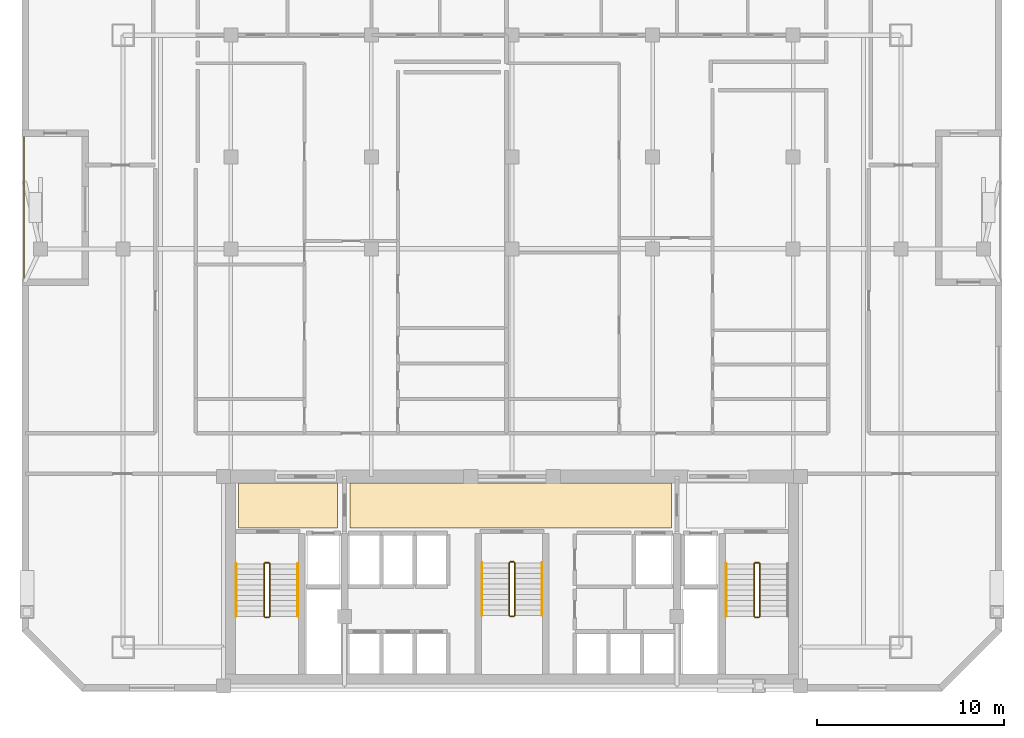
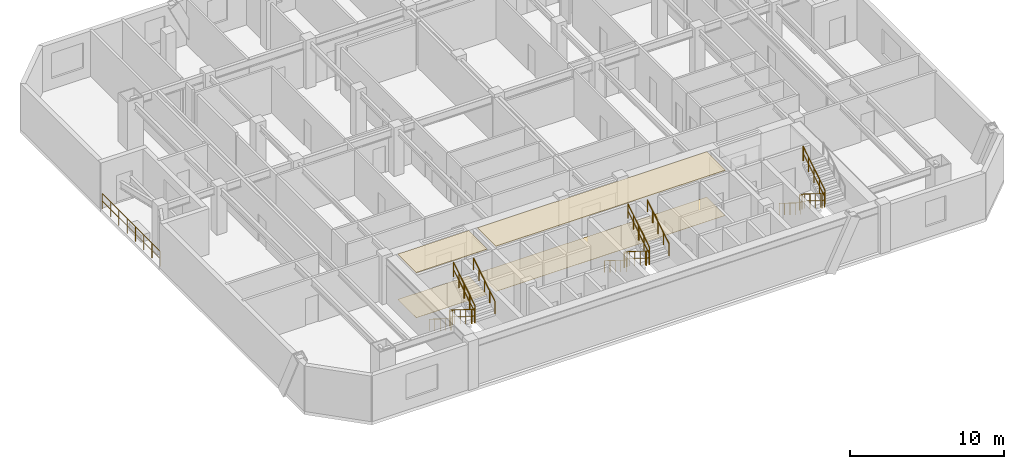
# One storey, part 8 of 9: 18 railings, 4 coverings.
"""IFC4 building model written with IfcOpenShell, lengths in metres."""

import ifcopenshell
import ifcopenshell.guid

model = None  # the IFC model being written
_history = None  # IfcOwnerHistory: only IFC2X3 demands one
_inside = {}  # id of a spatial element -> (the spatial element, [elements in it])
_under = {}  # id of a project, library or spatial element -> (it, [spatial elements below it])
_declared = {}  # id of a project -> (the project, [libraries it declares])
_typed = {}  # id of a type object -> (the type object, [elements of that type])
_made_of = {}  # id of a material, layer set ... -> (it, [elements and type objects made of it])


def new_model(schema):
    """Start an empty IFC model of exactly this schema.

    Asked for "IFC4X3", IfcOpenShell would pick the latest addendum, in which some entities
    have other attributes; the version numbers below select the first issue.
    IFC2X3 requires an IfcOwnerHistory on every rooted entity: one is made here for all.
    """
    global model, _history
    if schema == "IFC4X3":
        model = ifcopenshell.file(schema_version=(4, 3, 0, 0))
    else:
        model = ifcopenshell.file(schema=schema)
    _inside.clear()
    _under.clear()
    _declared.clear()
    _typed.clear()
    _made_of.clear()
    _history = None
    if model.schema == "IFC2X3":
        org = make("IfcOrganization", Name="unknown")
        user = make(
            "IfcPersonAndOrganization",
            ThePerson=make("IfcPerson", FamilyName="unknown"),
            TheOrganization=org,
        )
        app = make(
            "IfcApplication",
            ApplicationDeveloper=org,
            Version="unknown",
            ApplicationFullName="unknown",
            ApplicationIdentifier="unknown",
        )
        _history = make(
            "IfcOwnerHistory",
            OwningUser=user,
            OwningApplication=app,
            ChangeAction="ADDED",
            CreationDate=0,
        )
    return model


def make(cls, **values):
    """One entity of the class cls with the attributes given. An attribute that is None is left unset."""
    return model.create_entity(
        cls, **{name: value for name, value in values.items() if value is not None}
    )


def rooted(cls, **values):
    """An entity with a GlobalId (a new one), such as an element, a storey or a relation."""
    return make(cls, GlobalId=ifcopenshell.guid.new(), OwnerHistory=_history, **values)


def si_unit(unit_type, name, prefix=None):
    """IfcSIUnit, for example si_unit("LENGTHUNIT", "METRE", prefix="MILLI")."""
    return make("IfcSIUnit", UnitType=unit_type, Prefix=prefix, Name=name)


def assignment(units):
    """IfcUnitAssignment: the units of a project."""
    return None if units is None else make("IfcUnitAssignment", Units=units)


def point(xyz):
    """IfcCartesianPoint."""
    return None if xyz is None else make("IfcCartesianPoint", Coordinates=xyz)


def direction(xyz):
    """IfcDirection."""
    return None if xyz is None else make("IfcDirection", DirectionRatios=xyz)


def frame(location, z_axis=None, x_axis=None):
    """IfcAxis2Placement3D, a coordinate frame: its origin and axes. An axis left out is left unset."""
    return make(
        "IfcAxis2Placement3D",
        Location=point(location),
        Axis=direction(z_axis),
        RefDirection=direction(x_axis),
    )


def frame_2d(location, x_axis=None):
    """IfcAxis2Placement2D, a coordinate frame in the plane: its origin and x axis."""
    return make(
        "IfcAxis2Placement2D", Location=point(location), RefDirection=direction(x_axis)
    )


def origin():
    """The frame at (0, 0, 0) with its axes left unset."""
    return frame((0.0, 0.0, 0.0))


def origin_2d():
    """The frame at (0, 0) in the plane with its x axis left unset."""
    return frame_2d((0.0, 0.0))


def place(relative_to, where):
    """IfcLocalPlacement: puts the frame where relative to a parent placement (None: the world)."""
    return make(
        "IfcLocalPlacement", PlacementRelTo=relative_to, RelativePlacement=where
    )


def context(
    kind, dimensions, precision=None, world=None, true_north=None, identifier=None
):
    """IfcGeometricRepresentationContext, for example the 3D "Model" context."""
    return make(
        "IfcGeometricRepresentationContext",
        ContextIdentifier=identifier,
        ContextType=kind,
        CoordinateSpaceDimension=dimensions,
        Precision=precision,
        WorldCoordinateSystem=world,
        TrueNorth=true_north,
    )


def subcontext(parent, identifier, kind, view, scale=None):
    """IfcGeometricRepresentationSubContext, for example "Body" below "Model"."""
    return make(
        "IfcGeometricRepresentationSubContext",
        ContextIdentifier=identifier,
        ContextType=kind,
        ParentContext=parent,
        TargetScale=scale,
        TargetView=view,
    )


def project(units=None, contexts=None):
    """IfcProject with its units and contexts."""
    return rooted(
        "IfcProject",
        Name="project",
        RepresentationContexts=contexts,
        UnitsInContext=assignment(units),
    )


def spatial(cls, under=None, at=None, **own):
    """A site, building, storey or space (cls), placed at a placement, below another one or the project."""
    s = rooted(cls, ObjectPlacement=at, **own)
    if under is not None:
        _under.setdefault(under.id(), (under, []))[1].append(s)
    return s


def polyline(points):
    """IfcPolyline through the points."""
    return make("IfcPolyline", Points=[point(p) for p in points])


def profile(cls, at=None, kind="AREA", **sizes):
    """A parametric profile (cls). Its sizes go by their IFC names, for example OverallWidth=200.0."""
    return make(cls, ProfileType=kind, Position=at, **sizes)


def circle(**sizes):
    """IfcCircleProfileDef."""
    return profile("IfcCircleProfileDef", **sizes)


def outline(outer, holes=None, kind="AREA"):
    """IfcArbitraryClosedProfileDef: a profile drawn as a closed curve; with holes, ...WithVoids."""
    if holes is None:
        return make("IfcArbitraryClosedProfileDef", ProfileType=kind, OuterCurve=outer)
    return make(
        "IfcArbitraryProfileDefWithVoids",
        ProfileType=kind,
        OuterCurve=outer,
        InnerCurves=holes,
    )


def extrude(swept, where, along, depth):
    """IfcExtrudedAreaSolid: the profile swept, set in the frame where, extruded along a direction by depth."""
    return make(
        "IfcExtrudedAreaSolid",
        SweptArea=swept,
        Position=where,
        ExtrudedDirection=direction(along),
        Depth=depth,
    )


def shape(context_of_items, identifier, shape_type, items):
    """IfcShapeRepresentation: the items that make up one representation, for example the "Body"."""
    return make(
        "IfcShapeRepresentation",
        ContextOfItems=context_of_items,
        RepresentationIdentifier=identifier,
        RepresentationType=shape_type,
        Items=items,
    )


def material(Name=None, Category=None):
    """IfcMaterial."""
    return make("IfcMaterial", Name=Name, Category=Category)


def layer(
    of_material, thickness, ventilated=None, Name=None, Category=None, Priority=None
):
    """IfcMaterialLayer: one layer of a wall or slab, of a material (None: an air gap)."""
    return make(
        "IfcMaterialLayer",
        Material=of_material,
        LayerThickness=thickness,
        IsVentilated=ventilated,
        Name=Name,
        Category=Category,
        Priority=Priority,
    )


def layer_set(layers, Name=None):
    """IfcMaterialLayerSet."""
    return make("IfcMaterialLayerSet", MaterialLayers=layers, LayerSetName=Name)


def made_of(thing, what):
    """Note that an element or type object is made of a material, layer set ...; save() writes the relation."""
    if what is not None:
        _made_of.setdefault(what.id(), (what, []))[1].append(thing)
    return thing


def type_object(cls, material=None, **own):
    """A type object (cls), such as IfcWallType, which elements share."""
    return made_of(rooted(cls, **own), material)


def element(
    cls,
    number,
    at=None,
    inside=None,
    cuts=None,
    type_object=None,
    material=None,
    context=None,
    identifier="Body",
    shape_type=None,
    held_by="IfcProductDefinitionShape",
    body=None,
    shapes=None,
    **own,
):
    """One element of the class cls, such as IfcWall. Its Tag is "e" and its number.

    at: its placement. inside: the storey or other place that contains it. cuts: it is an
    opening in that element (IfcRelVoidsElement). A single representation is given by context,
    identifier, shape_type and body (its items); several are given by shapes. held_by: the class
    of the entity that holds the representations. save() writes the other relations.
    """
    e = rooted(cls, Tag="e%d" % number, ObjectPlacement=at, **own)
    if body is not None:
        shapes = [shape(context, identifier, shape_type, body)]
    if shapes is not None:
        e.Representation = make(held_by, Representations=shapes)
    if inside is not None:
        _inside.setdefault(inside.id(), (inside, []))[1].append(e)
    if cuts is not None:
        rooted(
            "IfcRelVoidsElement", RelatingBuildingElement=cuts, RelatedOpeningElement=e
        )
    if type_object is not None:
        _typed.setdefault(type_object.id(), (type_object, []))[1].append(e)
    return made_of(e, material)


def aggregate(whole, parts):
    """IfcRelAggregates: a whole, such as a stair, and the parts it consists of."""
    return rooted("IfcRelAggregates", RelatingObject=whole, RelatedObjects=parts)


def save(model, path):
    """Write the relations noted so far, then the file.

    IfcRelAggregates (storeys below a building ...), IfcRelContainedInSpatialStructure (elements
    in a storey), IfcRelDefinesByType, IfcRelAssociatesMaterial and IfcRelDeclares: one each for
    every whole, place, type object, material and project.
    """
    for whole, parts in _under.values():
        aggregate(whole, parts)
    for where, things in _inside.values():
        rooted(
            "IfcRelContainedInSpatialStructure",
            RelatedElements=things,
            RelatingStructure=where,
        )
    for kind, things in _typed.values():
        rooted("IfcRelDefinesByType", RelatedObjects=things, RelatingType=kind)
    for what, things in _made_of.values():
        rooted("IfcRelAssociatesMaterial", RelatedObjects=things, RelatingMaterial=what)
    for by, libraries in _declared.values():
        rooted("IfcRelDeclares", RelatingContext=by, RelatedDefinitions=libraries)
    model.write(path)


model = new_model("IFC4")

# Units and contexts
model_context = context("Model", 3, precision=1e-05, world=origin(), true_north=direction((0.0, 1.0)))
body_context = subcontext(model_context, "Body", "Model", "MODEL_VIEW")
ifc_project = project(units=[si_unit("LENGTHUNIT", "METRE"), si_unit("AREAUNIT", "SQUARE_METRE"), si_unit("VOLUMEUNIT", "CUBIC_METRE"), si_unit("PLANEANGLEUNIT", "RADIAN"), si_unit("MASSUNIT", "GRAM", prefix="KILO")], contexts=[model_context])

# Site, building, storey
site_placement = place(None, origin())
site = spatial("IfcSite", under=ifc_project, at=site_placement, CompositionType="ELEMENT")
building_placement = place(site_placement, origin())
building = spatial("IfcBuilding", under=site, at=building_placement, Name="Ventersveld Concourse Tower", CompositionType="ELEMENT")
storey_placement = place(building_placement, frame((0.0, 0.0, 115.699951171875)))
storey = spatial("IfcBuildingStorey", under=building, at=storey_placement, Name="L28", CompositionType="ELEMENT", Elevation=115.699951171875)

# Coverings
ifc_material_1 = material(Name="Mineral-fibre acoustic ceiling tile", Category="gypsum")
ifc_layer_1 = layer(ifc_material_1, 0.0400390625)
ifc_layer_set_1 = layer_set([ifc_layer_1], Name="Mineral-fibre acoustic ceiling tile")
covering_type_1 = type_object("IfcCoveringType", Name="COV-CEIL-ACOUSTIC", PredefinedType="CEILING", material=ifc_layer_set_1)
covering_1_placement = place(storey_placement, frame((0.0, 0.0, 3.56005859375)))
element("IfcCovering", 1, at=covering_1_placement, inside=storey, type_object=covering_type_1, Name="L28 North Lift Lobby Acoustic Ceiling", PredefinedType="CEILING", context=body_context, shape_type="SweptSolid", body=[
    extrude(outline(polyline([(20.10009765625, 8.699951171875), (37.25, 8.699951171875), (37.25, 11.10009765625), (20.10009765625, 11.10009765625), (20.10009765625, 8.699951171875)])), origin(), (0.0, 0.0, 1.0), 0.0400390625),
])
covering_2_placement = place(storey_placement, frame((0.0, 0.0, 3.56005859375)))
element("IfcCovering", 2, at=covering_2_placement, inside=storey, type_object=covering_type_1, Name="L28 West Firefighting Lobby Acoustic Ceiling", PredefinedType="CEILING", context=body_context, shape_type="SweptSolid", body=[
    extrude(outline(polyline([(14.14990234375, 8.699951171875), (19.449951171875, 8.699951171875), (19.449951171875, 11.10009765625), (14.14990234375, 11.10009765625), (14.14990234375, 8.699951171875)])), origin(), (0.0, 0.0, 1.0), 0.0400390625),
])
ifc_material_2 = material(Name="Polished Highveld granite terrazzo", Category="masonry")
ifc_layer_2 = layer(ifc_material_2, 0.02001953125)
ifc_layer_set_2 = layer_set([ifc_layer_2], Name="Polished Highveld granite terrazzo")
covering_type_2 = type_object("IfcCoveringType", Name="COV-FLOOR-TERRAZZO", PredefinedType="FLOORING", material=ifc_layer_set_2)
covering_3_placement = place(storey_placement, origin())
element("IfcCovering", 3, at=covering_3_placement, inside=storey, type_object=covering_type_2, Name="L28 North Lift Lobby Terrazzo Flooring", PredefinedType="FLOORING", context=body_context, shape_type="SweptSolid", body=[
    extrude(outline(polyline([(20.10009765625, 8.699951171875), (37.25, 8.699951171875), (37.25, 11.10009765625), (20.10009765625, 11.10009765625), (20.10009765625, 8.699951171875)])), origin(), (0.0, 0.0, 1.0), 0.02001953125),
])
covering_4_placement = place(storey_placement, origin())
element("IfcCovering", 4, at=covering_4_placement, inside=storey, type_object=covering_type_2, Name="L28 West Firefighting Lobby Terrazzo Flooring", PredefinedType="FLOORING", context=body_context, shape_type="SweptSolid", body=[
    extrude(outline(polyline([(14.14990234375, 8.699951171875), (19.449951171875, 8.699951171875), (19.449951171875, 11.10009765625), (14.14990234375, 11.10009765625), (14.14990234375, 8.699951171875)])), origin(), (0.0, 0.0, 1.0), 0.02001953125),
])

# Railings
ifc_material_3 = material(Name="Brushed stainless steel 316", Category="steel")
railing_type_1 = type_object("IfcRailingType", Name="GD-BAL-115", PredefinedType="GUARDRAIL", material=ifc_material_3)
railing_1_placement = place(storey_placement, frame((15.530029296875, 6.800048828125, 0.175048828125)))
element("IfcRailing", 5, at=railing_1_placement, inside=storey, type_object=railing_type_1, Name="L28 ST-01 stair guard 1", PredefinedType="GUARDRAIL", context=body_context, shape_type="SweptSolid", body=[
    extrude(circle(Radius=0.02392578125, at=origin_2d()), frame((0.0, 0.0, 1.1259765625), z_axis=(0.0, -0.848002457836, 0.529992293815), x_axis=(1.0, 0.0, 0.0)), (0.0, 0.0, 1.0), 3.302001953125),
    extrude(circle(Radius=0.01611328125, at=origin_2d()), frame((0.0, 0.0, 0.574951171875), z_axis=(0.0, -0.848002457836, 0.529992293815), x_axis=(1.0, 0.0, 0.0)), (0.0, 0.0, 1.0), 3.302001953125),
    extrude(circle(Radius=0.02099609375, at=origin_2d()), origin(), (0.0, 0.0, 1.0), 1.101806640625),
    extrude(circle(Radius=0.02099609375, at=origin_2d()), frame((0.0, -0.699951171875, 0.4375)), (0.0, 0.0, 1.0), 1.101806640625),
    extrude(circle(Radius=0.02099609375, at=origin_2d()), frame((0.0, -1.39990234375, 0.875)), (0.0, 0.0, 1.0), 1.101806640625),
    extrude(circle(Radius=0.02099609375, at=origin_2d()), frame((0.0, -2.10009765625, 1.3125)), (0.0, 0.0, 1.0), 1.101806640625),
    extrude(circle(Radius=0.02099609375, at=origin_2d()), frame((0.0, -2.800048828125, 1.75)), (0.0, 0.0, 1.0), 1.101806640625),
])
railing_2_placement = place(storey_placement, frame((15.580078125, 3.949951171875, 1.925048828125)))
element("IfcRailing", 6, at=railing_2_placement, inside=storey, type_object=railing_type_1, Name="L28 ST-01 stair guard 2", PredefinedType="GUARDRAIL", context=body_context, shape_type="SweptSolid", body=[
    extrude(circle(Radius=0.02392578125, at=origin_2d()), frame((0.0, 0.0, 1.1259765625), z_axis=(1.0, 0.0, 0.0), x_axis=(0.0, 1.0, 0.0)), (0.0, 0.0, 1.0), 0.199951171875),
    extrude(circle(Radius=0.01611328125, at=origin_2d()), frame((0.0, 0.0, 0.574951171875), z_axis=(1.0, 0.0, 0.0), x_axis=(0.0, 1.0, 0.0)), (0.0, 0.0, 1.0), 0.199951171875),
    extrude(circle(Radius=0.02099609375, at=origin_2d()), origin(), (0.0, 0.0, 1.0), 1.101806640625),
    extrude(circle(Radius=0.02099609375, at=origin_2d()), frame((0.199951171875, 0.0, 0.0)), (0.0, 0.0, 1.0), 1.101806640625),
])
railing_3_placement = place(storey_placement, frame((15.830078125, 4.0, 2.10009765625)))
element("IfcRailing", 7, at=railing_3_placement, inside=storey, type_object=railing_type_1, Name="L28 ST-01 stair guard 3", PredefinedType="GUARDRAIL", context=body_context, shape_type="SweptSolid", body=[
    extrude(circle(Radius=0.02392578125, at=origin_2d()), frame((0.0, 0.0, 1.1259765625), z_axis=(0.0, 0.848002457836, 0.529992293815), x_axis=(-1.0, 0.0, 0.0)), (0.0, 0.0, 1.0), 3.302001953125),
    extrude(circle(Radius=0.01611328125, at=origin_2d()), frame((0.0, 0.0, 0.574951171875), z_axis=(0.0, 0.848002457836, 0.529992293815), x_axis=(-1.0, 0.0, 0.0)), (0.0, 0.0, 1.0), 3.302001953125),
    extrude(circle(Radius=0.02099609375, at=origin_2d()), origin(), (0.0, 0.0, 1.0), 1.101806640625),
    extrude(circle(Radius=0.02099609375, at=origin_2d()), frame((0.0, 0.699951171875, 0.4375)), (0.0, 0.0, 1.0), 1.101806640625),
    extrude(circle(Radius=0.02099609375, at=origin_2d()), frame((0.0, 1.39990234375, 0.875)), (0.0, 0.0, 1.0), 1.101806640625),
    extrude(circle(Radius=0.02099609375, at=origin_2d()), frame((0.0, 2.10009765625, 1.3125)), (0.0, 0.0, 1.0), 1.101806640625),
    extrude(circle(Radius=0.02099609375, at=origin_2d()), frame((0.0, 2.800048828125, 1.75)), (0.0, 0.0, 1.0), 1.101806640625),
])
railing_4_placement = place(storey_placement, frame((15.580078125, 6.85009765625, 0.0)))
element("IfcRailing", 8, at=railing_4_placement, inside=storey, type_object=railing_type_1, Name="L28 ST-01 stair guard 4", PredefinedType="GUARDRAIL", context=body_context, shape_type="SweptSolid", body=[
    extrude(circle(Radius=0.02392578125, at=origin_2d()), frame((0.0, 0.0, 1.1259765625), z_axis=(1.0, 0.0, 0.0), x_axis=(0.0, 1.0, 0.0)), (0.0, 0.0, 1.0), 0.199951171875),
    extrude(circle(Radius=0.01611328125, at=origin_2d()), frame((0.0, 0.0, 0.574951171875), z_axis=(1.0, 0.0, 0.0), x_axis=(0.0, 1.0, 0.0)), (0.0, 0.0, 1.0), 0.199951171875),
    extrude(circle(Radius=0.02099609375, at=origin_2d()), origin(), (0.0, 0.0, 1.0), 1.101806640625),
    extrude(circle(Radius=0.02099609375, at=origin_2d()), frame((0.199951171875, 0.0, 0.0)), (0.0, 0.0, 1.0), 1.101806640625),
])
railing_5_placement = place(storey_placement, frame((41.669921875, 6.800048828125, 0.175048828125)))
element("IfcRailing", 9, at=railing_5_placement, inside=storey, type_object=railing_type_1, Name="L28 ST-02 stair guard 1", PredefinedType="GUARDRAIL", context=body_context, shape_type="SweptSolid", body=[
    extrude(circle(Radius=0.02392578125, at=origin_2d()), frame((0.0, 0.0, 1.1259765625), z_axis=(0.0, -0.848002457836, 0.529992293815), x_axis=(1.0, 0.0, 0.0)), (0.0, 0.0, 1.0), 3.302001953125),
    extrude(circle(Radius=0.01611328125, at=origin_2d()), frame((0.0, 0.0, 0.574951171875), z_axis=(0.0, -0.848002457836, 0.529992293815), x_axis=(1.0, 0.0, 0.0)), (0.0, 0.0, 1.0), 3.302001953125),
    extrude(circle(Radius=0.02099609375, at=origin_2d()), origin(), (0.0, 0.0, 1.0), 1.101806640625),
    extrude(circle(Radius=0.02099609375, at=origin_2d()), frame((0.0, -0.699951171875, 0.4375)), (0.0, 0.0, 1.0), 1.101806640625),
    extrude(circle(Radius=0.02099609375, at=origin_2d()), frame((0.0, -1.39990234375, 0.875)), (0.0, 0.0, 1.0), 1.101806640625),
    extrude(circle(Radius=0.02099609375, at=origin_2d()), frame((0.0, -2.10009765625, 1.3125)), (0.0, 0.0, 1.0), 1.101806640625),
    extrude(circle(Radius=0.02099609375, at=origin_2d()), frame((0.0, -2.800048828125, 1.75)), (0.0, 0.0, 1.0), 1.101806640625),
])
railing_6_placement = place(storey_placement, frame((41.719970703125, 3.949951171875, 1.925048828125)))
element("IfcRailing", 10, at=railing_6_placement, inside=storey, type_object=railing_type_1, Name="L28 ST-02 stair guard 2", PredefinedType="GUARDRAIL", context=body_context, shape_type="SweptSolid", body=[
    extrude(circle(Radius=0.02392578125, at=origin_2d()), frame((0.0, 0.0, 1.1259765625), z_axis=(1.0, 0.0, 0.0), x_axis=(0.0, 1.0, 0.0)), (0.0, 0.0, 1.0), 0.199951171875),
    extrude(circle(Radius=0.01611328125, at=origin_2d()), frame((0.0, 0.0, 0.574951171875), z_axis=(1.0, 0.0, 0.0), x_axis=(0.0, 1.0, 0.0)), (0.0, 0.0, 1.0), 0.199951171875),
    extrude(circle(Radius=0.02099609375, at=origin_2d()), origin(), (0.0, 0.0, 1.0), 1.101806640625),
    extrude(circle(Radius=0.02099609375, at=origin_2d()), frame((0.199951171875, 0.0, 0.0)), (0.0, 0.0, 1.0), 1.101806640625),
])
railing_7_placement = place(storey_placement, frame((41.969970703125, 4.0, 2.10009765625)))
element("IfcRailing", 11, at=railing_7_placement, inside=storey, type_object=railing_type_1, Name="L28 ST-02 stair guard 3", PredefinedType="GUARDRAIL", context=body_context, shape_type="SweptSolid", body=[
    extrude(circle(Radius=0.02392578125, at=origin_2d()), frame((0.0, 0.0, 1.1259765625), z_axis=(0.0, 0.848002457836, 0.529992293815), x_axis=(-1.0, 0.0, 0.0)), (0.0, 0.0, 1.0), 3.302001953125),
    extrude(circle(Radius=0.01611328125, at=origin_2d()), frame((0.0, 0.0, 0.574951171875), z_axis=(0.0, 0.848002457836, 0.529992293815), x_axis=(-1.0, 0.0, 0.0)), (0.0, 0.0, 1.0), 3.302001953125),
    extrude(circle(Radius=0.02099609375, at=origin_2d()), origin(), (0.0, 0.0, 1.0), 1.101806640625),
    extrude(circle(Radius=0.02099609375, at=origin_2d()), frame((0.0, 0.699951171875, 0.4375)), (0.0, 0.0, 1.0), 1.101806640625),
    extrude(circle(Radius=0.02099609375, at=origin_2d()), frame((0.0, 1.39990234375, 0.875)), (0.0, 0.0, 1.0), 1.101806640625),
    extrude(circle(Radius=0.02099609375, at=origin_2d()), frame((0.0, 2.10009765625, 1.3125)), (0.0, 0.0, 1.0), 1.101806640625),
    extrude(circle(Radius=0.02099609375, at=origin_2d()), frame((0.0, 2.800048828125, 1.75)), (0.0, 0.0, 1.0), 1.101806640625),
])
railing_8_placement = place(storey_placement, frame((41.719970703125, 6.85009765625, 0.0)))
element("IfcRailing", 12, at=railing_8_placement, inside=storey, type_object=railing_type_1, Name="L28 ST-02 stair guard 4", PredefinedType="GUARDRAIL", context=body_context, shape_type="SweptSolid", body=[
    extrude(circle(Radius=0.02392578125, at=origin_2d()), frame((0.0, 0.0, 1.1259765625), z_axis=(1.0, 0.0, 0.0), x_axis=(0.0, 1.0, 0.0)), (0.0, 0.0, 1.0), 0.199951171875),
    extrude(circle(Radius=0.01611328125, at=origin_2d()), frame((0.0, 0.0, 0.574951171875), z_axis=(1.0, 0.0, 0.0), x_axis=(0.0, 1.0, 0.0)), (0.0, 0.0, 1.0), 0.199951171875),
    extrude(circle(Radius=0.02099609375, at=origin_2d()), origin(), (0.0, 0.0, 1.0), 1.101806640625),
    extrude(circle(Radius=0.02099609375, at=origin_2d()), frame((0.199951171875, 0.0, 0.0)), (0.0, 0.0, 1.0), 1.101806640625),
])
railing_9_placement = place(storey_placement, frame((28.60009765625, 6.85009765625, 0.175048828125)))
element("IfcRailing", 13, at=railing_9_placement, inside=storey, type_object=railing_type_1, Name="L28 ST-03 stair guard 1", PredefinedType="GUARDRAIL", context=body_context, shape_type="SweptSolid", body=[
    extrude(circle(Radius=0.02392578125, at=origin_2d()), frame((0.0, 0.0, 1.1259765625), z_axis=(0.0, -0.848002457836, 0.529992293815), x_axis=(1.0, 0.0, 0.0)), (0.0, 0.0, 1.0), 3.302001953125),
    extrude(circle(Radius=0.01611328125, at=origin_2d()), frame((0.0, 0.0, 0.574951171875), z_axis=(0.0, -0.848002457836, 0.529992293815), x_axis=(1.0, 0.0, 0.0)), (0.0, 0.0, 1.0), 3.302001953125),
    extrude(circle(Radius=0.02099609375, at=origin_2d()), origin(), (0.0, 0.0, 1.0), 1.101806640625),
    extrude(circle(Radius=0.02099609375, at=origin_2d()), frame((0.0, -0.699951171875, 0.4375)), (0.0, 0.0, 1.0), 1.101806640625),
    extrude(circle(Radius=0.02099609375, at=origin_2d()), frame((0.0, -1.39990234375, 0.875)), (0.0, 0.0, 1.0), 1.101806640625),
    extrude(circle(Radius=0.02099609375, at=origin_2d()), frame((0.0, -2.10009765625, 1.3125)), (0.0, 0.0, 1.0), 1.101806640625),
    extrude(circle(Radius=0.02099609375, at=origin_2d()), frame((0.0, -2.800048828125, 1.75)), (0.0, 0.0, 1.0), 1.101806640625),
])
railing_10_placement = place(storey_placement, frame((28.64990234375, 4.0, 1.925048828125)))
element("IfcRailing", 14, at=railing_10_placement, inside=storey, type_object=railing_type_1, Name="L28 ST-03 stair guard 2", PredefinedType="GUARDRAIL", context=body_context, shape_type="SweptSolid", body=[
    extrude(circle(Radius=0.02392578125, at=origin_2d()), frame((0.0, 0.0, 1.1259765625), z_axis=(1.0, 0.0, 0.0), x_axis=(0.0, 1.0, 0.0)), (0.0, 0.0, 1.0), 0.2001953125),
    extrude(circle(Radius=0.01611328125, at=origin_2d()), frame((0.0, 0.0, 0.574951171875), z_axis=(1.0, 0.0, 0.0), x_axis=(0.0, 1.0, 0.0)), (0.0, 0.0, 1.0), 0.2001953125),
    extrude(circle(Radius=0.02099609375, at=origin_2d()), origin(), (0.0, 0.0, 1.0), 1.101806640625),
    extrude(circle(Radius=0.02099609375, at=origin_2d()), frame((0.2001953125, 0.0, 0.0)), (0.0, 0.0, 1.0), 1.101806640625),
])
railing_11_placement = place(storey_placement, frame((28.89990234375, 4.050048828125, 2.10009765625)))
element("IfcRailing", 15, at=railing_11_placement, inside=storey, type_object=railing_type_1, Name="L28 ST-03 stair guard 3", PredefinedType="GUARDRAIL", context=body_context, shape_type="SweptSolid", body=[
    extrude(circle(Radius=0.02392578125, at=origin_2d()), frame((0.0, 0.0, 1.1259765625), z_axis=(0.0, 0.848002457836, 0.529992293815), x_axis=(-1.0, 0.0, 0.0)), (0.0, 0.0, 1.0), 3.302001953125),
    extrude(circle(Radius=0.01611328125, at=origin_2d()), frame((0.0, 0.0, 0.574951171875), z_axis=(0.0, 0.848002457836, 0.529992293815), x_axis=(-1.0, 0.0, 0.0)), (0.0, 0.0, 1.0), 3.302001953125),
    extrude(circle(Radius=0.02099609375, at=origin_2d()), origin(), (0.0, 0.0, 1.0), 1.101806640625),
    extrude(circle(Radius=0.02099609375, at=origin_2d()), frame((0.0, 0.699951171875, 0.4375)), (0.0, 0.0, 1.0), 1.101806640625),
    extrude(circle(Radius=0.02099609375, at=origin_2d()), frame((0.0, 1.39990234375, 0.875)), (0.0, 0.0, 1.0), 1.101806640625),
    extrude(circle(Radius=0.02099609375, at=origin_2d()), frame((0.0, 2.10009765625, 1.3125)), (0.0, 0.0, 1.0), 1.101806640625),
    extrude(circle(Radius=0.02099609375, at=origin_2d()), frame((0.0, 2.800048828125, 1.75)), (0.0, 0.0, 1.0), 1.101806640625),
])
railing_12_placement = place(storey_placement, frame((28.64990234375, 6.89990234375, 0.0)))
element("IfcRailing", 16, at=railing_12_placement, inside=storey, type_object=railing_type_1, Name="L28 ST-03 stair guard 4", PredefinedType="GUARDRAIL", context=body_context, shape_type="SweptSolid", body=[
    extrude(circle(Radius=0.02392578125, at=origin_2d()), frame((0.0, 0.0, 1.1259765625), z_axis=(1.0, 0.0, 0.0), x_axis=(0.0, 1.0, 0.0)), (0.0, 0.0, 1.0), 0.2001953125),
    extrude(circle(Radius=0.01611328125, at=origin_2d()), frame((0.0, 0.0, 0.574951171875), z_axis=(1.0, 0.0, 0.0), x_axis=(0.0, 1.0, 0.0)), (0.0, 0.0, 1.0), 0.2001953125),
    extrude(circle(Radius=0.02099609375, at=origin_2d()), origin(), (0.0, 0.0, 1.0), 1.101806640625),
    extrude(circle(Radius=0.02099609375, at=origin_2d()), frame((0.2001953125, 0.0, 0.0)), (0.0, 0.0, 1.0), 1.101806640625),
])
railing_type_2 = type_object("IfcRailingType", Name="GD-TER-120", PredefinedType="GUARDRAIL", material=ifc_material_3)
railing_13_placement = place(storey_placement, frame((2.719970703125, 22.050048828125, 0.0)))
element("IfcRailing", 17, at=railing_13_placement, inside=storey, type_object=railing_type_2, Name="L28 Outdoor Terrace Guardrail NOTCH-W", PredefinedType="GUARDRAIL", context=body_context, shape_type="SweptSolid", body=[
    extrude(circle(Radius=0.02392578125, at=origin_2d()), frame((0.0, 0.0, 1.17578125), z_axis=(0.0, 1.0, 0.0), x_axis=(-1.0, 0.0, 0.0)), (0.0, 0.0, 1.0), 7.5),
    extrude(circle(Radius=0.01611328125, at=origin_2d()), frame((0.0, 0.0, 0.60009765625), z_axis=(0.0, 1.0, 0.0), x_axis=(-1.0, 0.0, 0.0)), (0.0, 0.0, 1.0), 7.5),
    extrude(circle(Radius=0.02099609375, at=origin_2d()), origin(), (0.0, 0.0, 1.0), 1.15185546875),
    extrude(circle(Radius=0.02099609375, at=origin_2d()), frame((0.0, 1.071533203125, 0.0)), (0.0, 0.0, 1.0), 1.15185546875),
    extrude(circle(Radius=0.02099609375, at=origin_2d()), frame((0.0, 2.142822265625, 0.0)), (0.0, 0.0, 1.0), 1.15185546875),
    extrude(circle(Radius=0.02099609375, at=origin_2d()), frame((0.0, 3.21435546875, 0.0)), (0.0, 0.0, 1.0), 1.15185546875),
    extrude(circle(Radius=0.02099609375, at=origin_2d()), frame((0.0, 4.28564453125, 0.0)), (0.0, 0.0, 1.0), 1.15185546875),
    extrude(circle(Radius=0.02099609375, at=origin_2d()), frame((0.0, 5.357177734375, 0.0)), (0.0, 0.0, 1.0), 1.15185546875),
    extrude(circle(Radius=0.02099609375, at=origin_2d()), frame((0.0, 6.428466796875, 0.0)), (0.0, 0.0, 1.0), 1.15185546875),
    extrude(circle(Radius=0.02099609375, at=origin_2d()), frame((0.0, 7.5, 0.0)), (0.0, 0.0, 1.0), 1.15185546875),
])
railing_type_3 = type_object("IfcRailingType", Name="HR-RMP-095", PredefinedType="HANDRAIL", material=ifc_material_3)
railing_14_placement = place(storey_placement, frame((14.030029296875, 6.800048828125, 0.175048828125)))
element("IfcRailing", 18, at=railing_14_placement, inside=storey, type_object=railing_type_3, Name="L28 ST-01 stair handrail 1", PredefinedType="HANDRAIL", context=body_context, shape_type="SweptSolid", body=[
    extrude(circle(Radius=0.02392578125, at=origin_2d()), frame((0.0, 0.0, 0.92578125), z_axis=(0.0, -0.848002457836, 0.529992293815), x_axis=(1.0, 0.0, 0.0)), (0.0, 0.0, 1.0), 3.302001953125),
    extrude(circle(Radius=0.02099609375, at=origin_2d()), origin(), (0.0, 0.0, 1.0), 0.90185546875),
    extrude(circle(Radius=0.02099609375, at=origin_2d()), frame((0.0, -0.699951171875, 0.4375)), (0.0, 0.0, 1.0), 0.90185546875),
    extrude(circle(Radius=0.02099609375, at=origin_2d()), frame((0.0, -1.39990234375, 0.875)), (0.0, 0.0, 1.0), 0.90185546875),
    extrude(circle(Radius=0.02099609375, at=origin_2d()), frame((0.0, -2.10009765625, 1.3125)), (0.0, 0.0, 1.0), 0.90185546875),
    extrude(circle(Radius=0.02099609375, at=origin_2d()), frame((0.0, -2.800048828125, 1.75)), (0.0, 0.0, 1.0), 0.90185546875),
])
railing_15_placement = place(storey_placement, frame((17.330078125, 4.0, 2.10009765625)))
element("IfcRailing", 19, at=railing_15_placement, inside=storey, type_object=railing_type_3, Name="L28 ST-01 stair handrail 2", PredefinedType="HANDRAIL", context=body_context, shape_type="SweptSolid", body=[
    extrude(circle(Radius=0.02392578125, at=origin_2d()), frame((0.0, 0.0, 0.92578125), z_axis=(0.0, 0.848002457836, 0.529992293815), x_axis=(-1.0, 0.0, 0.0)), (0.0, 0.0, 1.0), 3.302001953125),
    extrude(circle(Radius=0.02099609375, at=origin_2d()), origin(), (0.0, 0.0, 1.0), 0.90185546875),
    extrude(circle(Radius=0.02099609375, at=origin_2d()), frame((0.0, 0.699951171875, 0.4375)), (0.0, 0.0, 1.0), 0.90185546875),
    extrude(circle(Radius=0.02099609375, at=origin_2d()), frame((0.0, 1.39990234375, 0.875)), (0.0, 0.0, 1.0), 0.90185546875),
    extrude(circle(Radius=0.02099609375, at=origin_2d()), frame((0.0, 2.10009765625, 1.3125)), (0.0, 0.0, 1.0), 0.90185546875),
    extrude(circle(Radius=0.02099609375, at=origin_2d()), frame((0.0, 2.800048828125, 1.75)), (0.0, 0.0, 1.0), 0.90185546875),
])
for number, where, name in (
    (20, (40.169921875, 6.800048828125, 0.175048828125), "L28 ST-02 stair handrail 1"),
    (21, (27.14990234375, 6.85009765625, 0.175048828125), "L28 ST-03 stair handrail 1"),
):
    element("IfcRailing", number, at=place(storey_placement, frame(where)), inside=storey, type_object=railing_type_3, Name=name, PredefinedType="HANDRAIL", context=body_context, shape_type="SweptSolid", body=[
        extrude(circle(Radius=0.02392578125, at=origin_2d()), frame((0.0, 0.0, 0.92578125), z_axis=(0.0, -0.848002457836, 0.529992293815), x_axis=(1.0, 0.0, 0.0)), (0.0, 0.0, 1.0), 3.302001953125),
        extrude(circle(Radius=0.02099609375, at=origin_2d()), origin(), (0.0, 0.0, 1.0), 0.90185546875),
        extrude(circle(Radius=0.02099609375, at=origin_2d()), frame((0.0, -0.699951171875, 0.4375)), (0.0, 0.0, 1.0), 0.90185546875),
        extrude(circle(Radius=0.02099609375, at=origin_2d()), frame((0.0, -1.39990234375, 0.875)), (0.0, 0.0, 1.0), 0.90185546875),
        extrude(circle(Radius=0.02099609375, at=origin_2d()), frame((0.0, -2.10009765625, 1.3125)), (0.0, 0.0, 1.0), 0.90185546875),
        extrude(circle(Radius=0.02099609375, at=origin_2d()), frame((0.0, -2.800048828125, 1.75)), (0.0, 0.0, 1.0), 0.90185546875),
    ])
railing_16_placement = place(storey_placement, frame((30.35009765625, 4.050048828125, 2.10009765625)))
element("IfcRailing", 22, at=railing_16_placement, inside=storey, type_object=railing_type_3, Name="L28 ST-03 stair handrail 2", PredefinedType="HANDRAIL", context=body_context, shape_type="SweptSolid", body=[
    extrude(circle(Radius=0.02392578125, at=origin_2d()), frame((0.0, 0.0, 0.92578125), z_axis=(0.0, 0.848002457836, 0.529992293815), x_axis=(-1.0, 0.0, 0.0)), (0.0, 0.0, 1.0), 3.302001953125),
    extrude(circle(Radius=0.02099609375, at=origin_2d()), origin(), (0.0, 0.0, 1.0), 0.90185546875),
    extrude(circle(Radius=0.02099609375, at=origin_2d()), frame((0.0, 0.699951171875, 0.4375)), (0.0, 0.0, 1.0), 0.90185546875),
    extrude(circle(Radius=0.02099609375, at=origin_2d()), frame((0.0, 1.39990234375, 0.875)), (0.0, 0.0, 1.0), 0.90185546875),
    extrude(circle(Radius=0.02099609375, at=origin_2d()), frame((0.0, 2.10009765625, 1.3125)), (0.0, 0.0, 1.0), 0.90185546875),
    extrude(circle(Radius=0.02099609375, at=origin_2d()), frame((0.0, 2.800048828125, 1.75)), (0.0, 0.0, 1.0), 0.90185546875),
])

save(model, "model.ifc")
